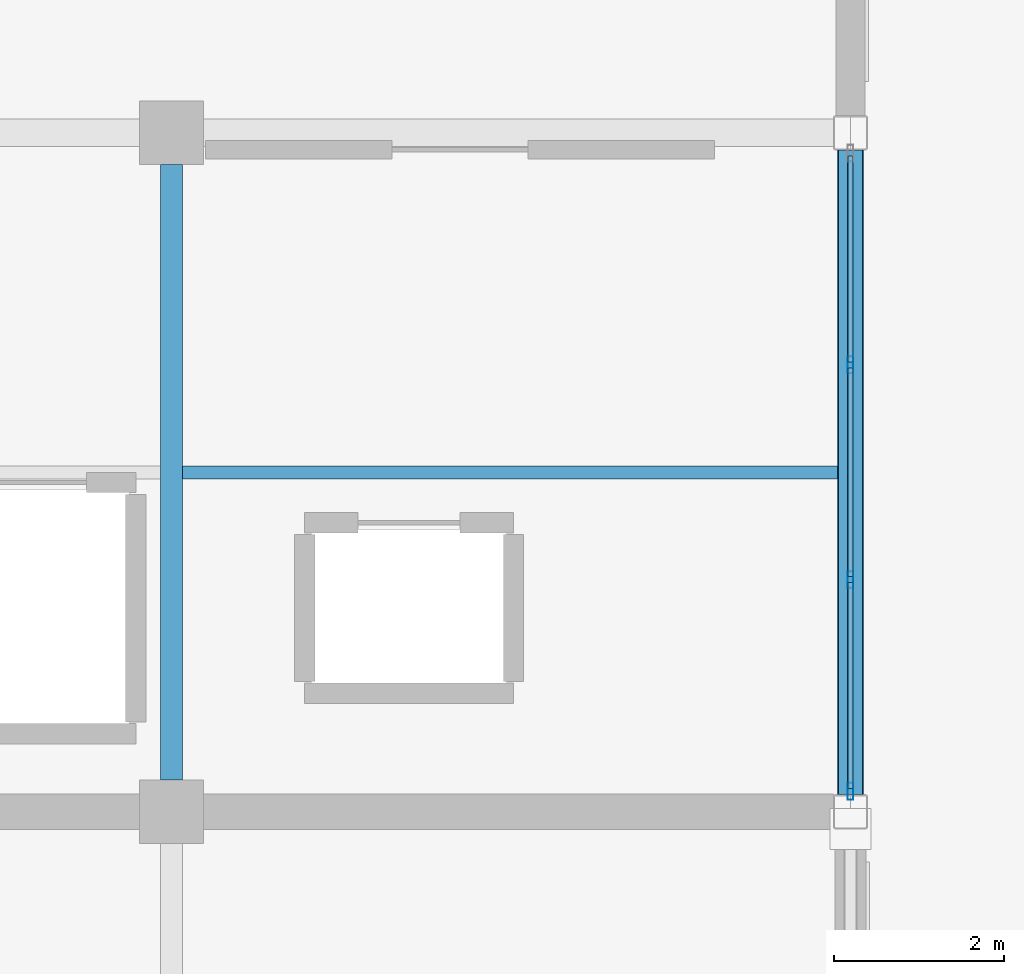
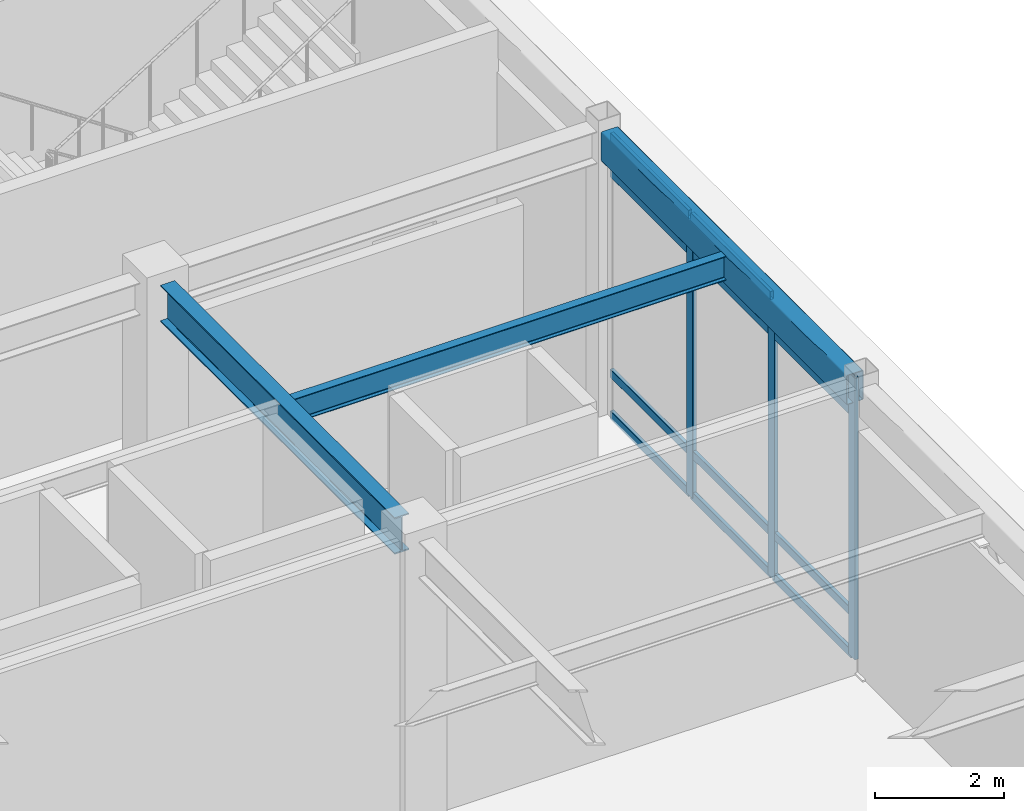
# One storey, part 87 of 128: 15 members, 3 beams, 1 element without a shape of its own.
"""IFC4 building model written with IfcOpenShell, lengths in metres."""

from ifc_helpers import new_model, si_unit, direction, frame, origin, origin_2d, place, context, subcontext, project, spatial, hollow_rectangle, i_section, extrude, material, material_profile, profile_set, type_object, element, aggregate, save


model = new_model("IFC4")

# Units and contexts
model_context = context("Model", 3, precision=1e-05, world=origin(), true_north=direction((0.0, 1.0)))
body_context = subcontext(model_context, "Body", "Model", "MODEL_VIEW")
ifc_project = project(units=[si_unit("LENGTHUNIT", "METRE"), si_unit("AREAUNIT", "SQUARE_METRE"), si_unit("VOLUMEUNIT", "CUBIC_METRE"), si_unit("PLANEANGLEUNIT", "RADIAN"), si_unit("MASSUNIT", "GRAM", prefix="KILO")], contexts=[model_context])

# Site, building, storey
site_placement = place(None, origin())
site = spatial("IfcSite", under=ifc_project, at=site_placement, CompositionType="ELEMENT")
building_placement = place(site_placement, origin())
building = spatial("IfcBuilding", under=site, at=building_placement, Name="Solmirada Galleria", CompositionType="ELEMENT")
storey_placement = place(building_placement, origin())
storey = spatial("IfcBuildingStorey", under=building, at=storey_placement, Name="L00", CompositionType="ELEMENT", Elevation=0.0)

# Beams
ifc_material_1 = material(Name="Steel S355 / ASTM A992 Grade 50", Category="steel")
ifc_material_profile_1 = material_profile(ifc_material_1, i_section(OverallWidth=0.256103515625, OverallDepth=0.693115234375, WebThickness=0.014404296875, FlangeThickness=0.023681640625, FilletRadius=0.01806640625, at=origin_2d()), Name="W27X114")
ifc_profile_set_1 = profile_set([ifc_material_profile_1], Name="Steel S355 / ASTM A992 Grade 50")
beam_type_1 = type_object("IfcBeamType", Name="BM-GIRD-W27A", PredefinedType="BEAM", material=ifc_profile_set_1)
beam_1_placement = place(storey_placement, frame((168.0, 88.375, 5.033447265625), z_axis=(0.0, 1.0, 0.0), x_axis=(-1.0, 0.0, 0.0)))
element("IfcBeam", 1, at=beam_1_placement, inside=storey, type_object=beam_type_1, Name="Primary girder L01 Y(168, 88..96)", PredefinedType="BEAM", context=body_context, shape_type="SweptSolid", body=[
    extrude(i_section(OverallWidth=0.256103515625, OverallDepth=0.693115234375, WebThickness=0.014404296875, FlangeThickness=0.023681640625, FilletRadius=0.01806640625, at=origin_2d()), origin(), (0.0, 0.0, 1.0), 7.25),
])
ifc_material_profile_2 = material_profile(ifc_material_1, i_section(OverallWidth=0.153076171875, OverallDepth=0.455078125, WebThickness=0.008056640625, FlangeThickness=0.01318359375, FilletRadius=0.011962890625, at=origin_2d()), Name="W18X40")
ifc_profile_set_2 = profile_set([ifc_material_profile_2], Name="Steel S355 / ASTM A992 Grade 50")
beam_type_2 = type_object("IfcBeamType", Name="BM-JST-W18A", PredefinedType="JOIST", material=ifc_profile_set_2)
beam_2_placement = place(storey_placement, frame((168.1279296875, 92.0, 5.152587890625), z_axis=(1.0, 0.0, 0.0), x_axis=(0.0, 1.0, 0.0)))
element("IfcBeam", 2, at=beam_2_placement, inside=storey, type_object=beam_type_2, Name="Composite floor joist L01 (168..176, 92.0)", PredefinedType="JOIST", context=body_context, shape_type="SweptSolid", body=[
    extrude(i_section(OverallWidth=0.153076171875, OverallDepth=0.455078125, WebThickness=0.008056640625, FlangeThickness=0.01318359375, FilletRadius=0.011962890625, at=origin_2d()), origin(), (0.0, 0.0, 1.0), 7.719482421875),
])
ifc_material_2 = material(Name="Steel S355 / ASTM A500 Grade C", Category="steel")
ifc_material_profile_3 = material_profile(ifc_material_2, hollow_rectangle(XDim=0.304931640625, YDim=0.55908203125, WallThickness=0.01171875, InnerFilletRadius=0.01171875, OuterFilletRadius=0.023681640625, at=origin_2d()), Name="HSS22X12X1/2")
ifc_profile_set_3 = profile_set([ifc_material_profile_3], Name="Steel S355 / ASTM A500 Grade C")
beam_type_3 = type_object("IfcBeamType", Name="BM-SPAND-W21", PredefinedType="SPANDREL", material=ifc_profile_set_3)
beam_3_placement = place(storey_placement, frame((176.0, 88.202880859375, 5.1005859375), z_axis=(0.0, 1.0, 0.0), x_axis=(-1.0, 0.0, 0.0)))
element("IfcBeam", 3, at=beam_3_placement, inside=storey, type_object=beam_type_3, Name="Primary girder L01 Y(176, 88..96)", PredefinedType="SPANDREL", context=body_context, shape_type="SweptSolid", body=[
    extrude(hollow_rectangle(XDim=0.304931640625, YDim=0.55908203125, WallThickness=0.01171875, InnerFilletRadius=0.01171875, OuterFilletRadius=0.023681640625, at=origin_2d()), origin(), (0.0, 0.0, 1.0), 7.59423828125),
])

# Curtain wall, members
ifc_material_3 = material(Name="Impact-resistant low-E double glazing", Category="glass")
curtain_wall_type = type_object("IfcCurtainWallType", Name="CW-FZ2-L00-B3-L076", PredefinedType="NOTDEFINED", material=ifc_material_3)
curtain_wall_placement = place(storey_placement, origin())
curtain_wall = element("IfcCurtainWall", 4, at=curtain_wall_placement, inside=storey, type_object=curtain_wall_type, Name="Terrace and arcade storefront CW-L00-013", PredefinedType="NOTDEFINED")
ifc_material_4 = material(Name="Anodised aluminium framing", Category="aluminium")
ifc_material_profile_4 = material_profile(ifc_material_4, hollow_rectangle(XDim=0.070068359375, YDim=0.199951171875, WallThickness=0.004150390625, InnerFilletRadius=0.004150390625, OuterFilletRadius=0.00830078125, at=origin_2d()), Name="ALU-MULL-200X70")
ifc_profile_set_4 = profile_set([ifc_material_profile_4], Name="Anodised aluminium framing")
member_type_1 = type_object("IfcMemberType", Name="CW-MULL-200", PredefinedType="MULLION", material=ifc_profile_set_4)
member_1_placement = place(storey_placement, frame((176.0, 93.264892578125, 0.0), z_axis=(0.0, 0.0, 1.0), x_axis=(1.0, 0.0, 0.0)))
member_1 = element("IfcMember", 5, at=member_1_placement, type_object=member_type_1, Name="CW05 mullion 2", PredefinedType="MULLION", context=body_context, shape_type="SweptSolid", body=[
    extrude(hollow_rectangle(XDim=0.070068359375, YDim=0.199951171875, WallThickness=0.004150390625, InnerFilletRadius=0.004150390625, OuterFilletRadius=0.00830078125, at=origin_2d()), origin(), (0.0, 0.0, 1.0), 5.320068359375),
])
member_2_placement = place(storey_placement, frame((176.0, 90.735107421875, 0.0), z_axis=(0.0, 0.0, 1.0), x_axis=(1.0, 0.0, 0.0)))
member_2 = element("IfcMember", 6, at=member_2_placement, type_object=member_type_1, Name="CW05 mullion 3", PredefinedType="MULLION", context=body_context, shape_type="SweptSolid", body=[
    extrude(hollow_rectangle(XDim=0.070068359375, YDim=0.199951171875, WallThickness=0.004150390625, InnerFilletRadius=0.004150390625, OuterFilletRadius=0.00830078125, at=origin_2d()), origin(), (0.0, 0.0, 1.0), 5.320068359375),
])
member_3_placement = place(storey_placement, frame((176.0, 88.239990234375, 0.0), z_axis=(0.0, 0.0, 1.0), x_axis=(1.0, 0.0, 0.0)))
member_3 = element("IfcMember", 7, at=member_3_placement, type_object=member_type_1, Name="CW05 mullion 4", PredefinedType="MULLION", context=body_context, shape_type="SweptSolid", body=[
    extrude(hollow_rectangle(XDim=0.070068359375, YDim=0.199951171875, WallThickness=0.004150390625, InnerFilletRadius=0.004150390625, OuterFilletRadius=0.00830078125, at=origin_2d()), origin(), (0.0, 0.0, 1.0), 5.320068359375),
])
ifc_material_profile_5 = material_profile(ifc_material_4, hollow_rectangle(XDim=0.06494140625, YDim=0.159912109375, WallThickness=0.00390625, InnerFilletRadius=0.00390625, OuterFilletRadius=0.007568359375, at=origin_2d()), Name="ALU-TRAN-160X65")
ifc_profile_set_5 = profile_set([ifc_material_profile_5], Name="Anodised aluminium framing")
member_type_2 = type_object("IfcMemberType", Name="CW-TRAN-160", PredefinedType="USERDEFINED", material=ifc_profile_set_5)
member_4_placement = place(storey_placement, frame((176.0, 95.72509765625, 0.032470703125), z_axis=(0.0, -1.0, 0.0), x_axis=(1.0, 0.0, 0.0)))
member_4 = element("IfcMember", 8, at=member_4_placement, type_object=member_type_2, Name="CW05 transom 1.1", ObjectType="TRANSOM", PredefinedType="USERDEFINED", context=body_context, shape_type="SweptSolid", body=[
    extrude(hollow_rectangle(XDim=0.06494140625, YDim=0.159912109375, WallThickness=0.00390625, InnerFilletRadius=0.00390625, OuterFilletRadius=0.007568359375, at=origin_2d()), origin(), (0.0, 0.0, 1.0), 2.425048828125),
])
member_5_placement = place(storey_placement, frame((176.0, 95.72509765625, 0.820068359375), z_axis=(0.0, -1.0, 0.0), x_axis=(1.0, 0.0, 0.0)))
member_5 = element("IfcMember", 9, at=member_5_placement, type_object=member_type_2, Name="CW05 transom 1.2", ObjectType="TRANSOM", PredefinedType="USERDEFINED", context=body_context, shape_type="SweptSolid", body=[
    extrude(hollow_rectangle(XDim=0.06494140625, YDim=0.159912109375, WallThickness=0.00390625, InnerFilletRadius=0.00390625, OuterFilletRadius=0.007568359375, at=origin_2d()), origin(), (0.0, 0.0, 1.0), 2.425048828125),
])
member_6_placement = place(storey_placement, frame((176.0, 95.72509765625, 4.610107421875), z_axis=(0.0, -1.0, 0.0), x_axis=(1.0, 0.0, 0.0)))
member_6 = element("IfcMember", 10, at=member_6_placement, type_object=member_type_2, Name="CW05 transom 1.3", ObjectType="TRANSOM", PredefinedType="USERDEFINED", context=body_context, shape_type="SweptSolid", body=[
    extrude(hollow_rectangle(XDim=0.06494140625, YDim=0.159912109375, WallThickness=0.00390625, InnerFilletRadius=0.00390625, OuterFilletRadius=0.007568359375, at=origin_2d()), origin(), (0.0, 0.0, 1.0), 2.425048828125),
])
member_7_placement = place(storey_placement, frame((176.0, 95.72509765625, 5.28759765625), z_axis=(0.0, -1.0, 0.0), x_axis=(1.0, 0.0, 0.0)))
member_7 = element("IfcMember", 11, at=member_7_placement, type_object=member_type_2, Name="CW05 transom 1.4", ObjectType="TRANSOM", PredefinedType="USERDEFINED", context=body_context, shape_type="SweptSolid", body=[
    extrude(hollow_rectangle(XDim=0.06494140625, YDim=0.159912109375, WallThickness=0.00390625, InnerFilletRadius=0.00390625, OuterFilletRadius=0.007568359375, at=origin_2d()), origin(), (0.0, 0.0, 1.0), 2.425048828125),
])
member_8_placement = place(storey_placement, frame((176.0, 93.22998046875, 0.032470703125), z_axis=(0.0, -1.0, 0.0), x_axis=(1.0, 0.0, 0.0)))
member_8 = element("IfcMember", 12, at=member_8_placement, type_object=member_type_2, Name="CW05 transom 2.1", ObjectType="TRANSOM", PredefinedType="USERDEFINED", context=body_context, shape_type="SweptSolid", body=[
    extrude(hollow_rectangle(XDim=0.06494140625, YDim=0.159912109375, WallThickness=0.00390625, InnerFilletRadius=0.00390625, OuterFilletRadius=0.007568359375, at=origin_2d()), origin(), (0.0, 0.0, 1.0), 2.4599609375),
])
member_9_placement = place(storey_placement, frame((176.0, 93.22998046875, 0.820068359375), z_axis=(0.0, -1.0, 0.0), x_axis=(1.0, 0.0, 0.0)))
member_9 = element("IfcMember", 13, at=member_9_placement, type_object=member_type_2, Name="CW05 transom 2.2", ObjectType="TRANSOM", PredefinedType="USERDEFINED", context=body_context, shape_type="SweptSolid", body=[
    extrude(hollow_rectangle(XDim=0.06494140625, YDim=0.159912109375, WallThickness=0.00390625, InnerFilletRadius=0.00390625, OuterFilletRadius=0.007568359375, at=origin_2d()), origin(), (0.0, 0.0, 1.0), 2.4599609375),
])
member_10_placement = place(storey_placement, frame((176.0, 93.22998046875, 4.610107421875), z_axis=(0.0, -1.0, 0.0), x_axis=(1.0, 0.0, 0.0)))
member_10 = element("IfcMember", 14, at=member_10_placement, type_object=member_type_2, Name="CW05 transom 2.3", ObjectType="TRANSOM", PredefinedType="USERDEFINED", context=body_context, shape_type="SweptSolid", body=[
    extrude(hollow_rectangle(XDim=0.06494140625, YDim=0.159912109375, WallThickness=0.00390625, InnerFilletRadius=0.00390625, OuterFilletRadius=0.007568359375, at=origin_2d()), origin(), (0.0, 0.0, 1.0), 2.4599609375),
])
member_11_placement = place(storey_placement, frame((176.0, 93.22998046875, 5.28759765625), z_axis=(0.0, -1.0, 0.0), x_axis=(1.0, 0.0, 0.0)))
member_11 = element("IfcMember", 15, at=member_11_placement, type_object=member_type_2, Name="CW05 transom 2.4", ObjectType="TRANSOM", PredefinedType="USERDEFINED", context=body_context, shape_type="SweptSolid", body=[
    extrude(hollow_rectangle(XDim=0.06494140625, YDim=0.159912109375, WallThickness=0.00390625, InnerFilletRadius=0.00390625, OuterFilletRadius=0.007568359375, at=origin_2d()), origin(), (0.0, 0.0, 1.0), 2.4599609375),
])
member_12_placement = place(storey_placement, frame((176.0, 90.699951171875, 0.032470703125), z_axis=(0.0, -1.0, 0.0), x_axis=(1.0, 0.0, 0.0)))
member_12 = element("IfcMember", 16, at=member_12_placement, type_object=member_type_2, Name="CW05 transom 3.1", ObjectType="TRANSOM", PredefinedType="USERDEFINED", context=body_context, shape_type="SweptSolid", body=[
    extrude(hollow_rectangle(XDim=0.06494140625, YDim=0.159912109375, WallThickness=0.00390625, InnerFilletRadius=0.00390625, OuterFilletRadius=0.007568359375, at=origin_2d()), origin(), (0.0, 0.0, 1.0), 2.425048828125),
])
member_13_placement = place(storey_placement, frame((176.0, 90.699951171875, 0.820068359375), z_axis=(0.0, -1.0, 0.0), x_axis=(1.0, 0.0, 0.0)))
member_13 = element("IfcMember", 17, at=member_13_placement, type_object=member_type_2, Name="CW05 transom 3.2", ObjectType="TRANSOM", PredefinedType="USERDEFINED", context=body_context, shape_type="SweptSolid", body=[
    extrude(hollow_rectangle(XDim=0.06494140625, YDim=0.159912109375, WallThickness=0.00390625, InnerFilletRadius=0.00390625, OuterFilletRadius=0.007568359375, at=origin_2d()), origin(), (0.0, 0.0, 1.0), 2.425048828125),
])
member_14_placement = place(storey_placement, frame((176.0, 90.699951171875, 4.610107421875), z_axis=(0.0, -1.0, 0.0), x_axis=(1.0, 0.0, 0.0)))
member_14 = element("IfcMember", 18, at=member_14_placement, type_object=member_type_2, Name="CW05 transom 3.3", ObjectType="TRANSOM", PredefinedType="USERDEFINED", context=body_context, shape_type="SweptSolid", body=[
    extrude(hollow_rectangle(XDim=0.06494140625, YDim=0.159912109375, WallThickness=0.00390625, InnerFilletRadius=0.00390625, OuterFilletRadius=0.007568359375, at=origin_2d()), origin(), (0.0, 0.0, 1.0), 2.425048828125),
])
member_15_placement = place(storey_placement, frame((176.0, 90.699951171875, 5.28759765625), z_axis=(0.0, -1.0, 0.0), x_axis=(1.0, 0.0, 0.0)))
member_15 = element("IfcMember", 19, at=member_15_placement, type_object=member_type_2, Name="CW05 transom 3.4", ObjectType="TRANSOM", PredefinedType="USERDEFINED", context=body_context, shape_type="SweptSolid", body=[
    extrude(hollow_rectangle(XDim=0.06494140625, YDim=0.159912109375, WallThickness=0.00390625, InnerFilletRadius=0.00390625, OuterFilletRadius=0.007568359375, at=origin_2d()), origin(), (0.0, 0.0, 1.0), 2.425048828125),
])
aggregate(curtain_wall, [member_1, member_2, member_3, member_4, member_5, member_6, member_7, member_8, member_9, member_10, member_11, member_12, member_13, member_14, member_15])

save(model, "model.ifc")
